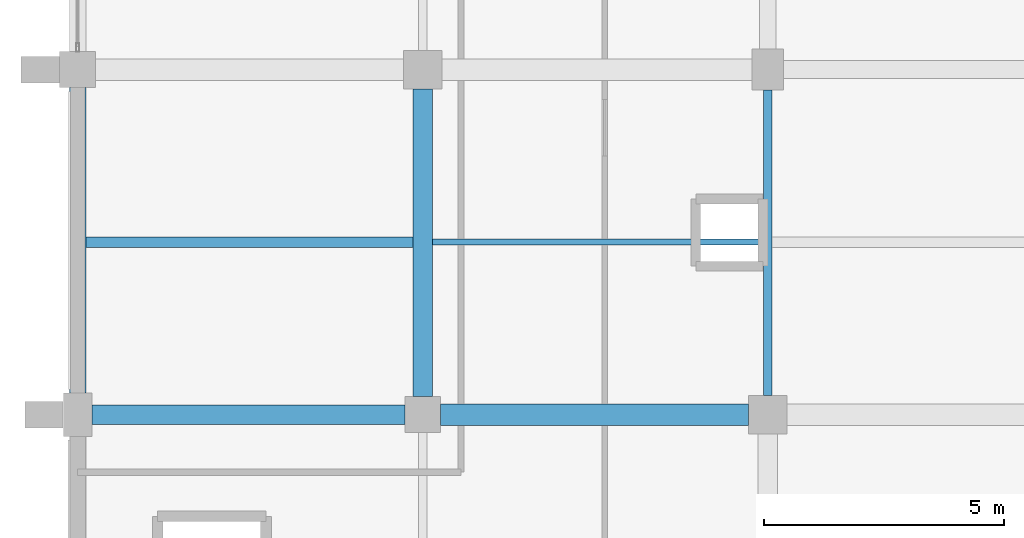
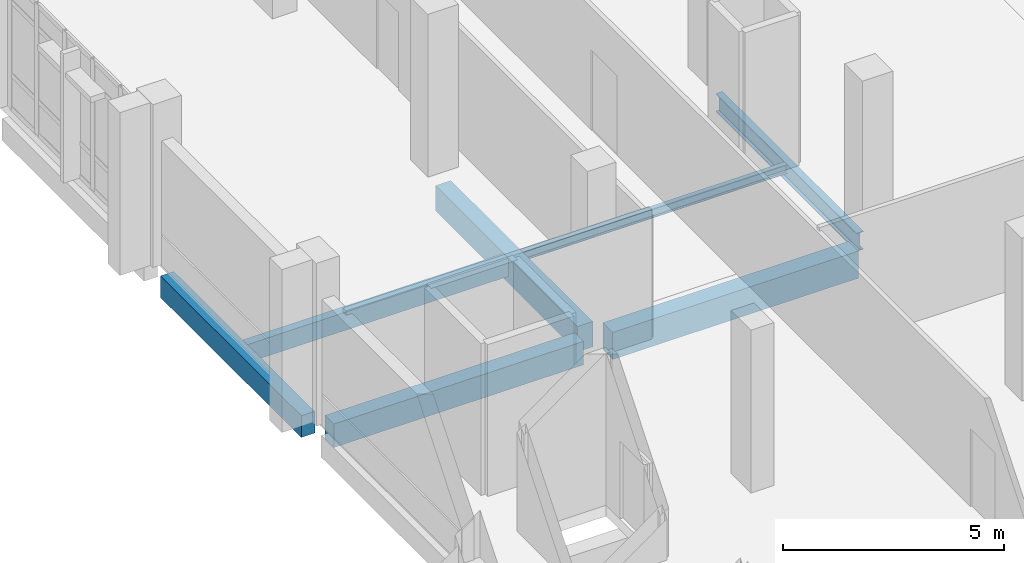
# One storey, part 25 of 134: 7 beams.
"""IFC4 building model written with IfcOpenShell, lengths in metres."""

from ifc_helpers import new_model, si_unit, direction, frame, origin, origin_2d, place, context, subcontext, project, spatial, rectangle, i_section, extrude, material, material_profile, profile_set, type_object, element, save


model = new_model("IFC4")

# Units and contexts
model_context = context("Model", 3, precision=1e-05, world=origin(), true_north=direction((0.0, 1.0)))
body_context = subcontext(model_context, "Body", "Model", "MODEL_VIEW")
ifc_project = project(units=[si_unit("LENGTHUNIT", "METRE"), si_unit("AREAUNIT", "SQUARE_METRE"), si_unit("VOLUMEUNIT", "CUBIC_METRE"), si_unit("PLANEANGLEUNIT", "RADIAN"), si_unit("MASSUNIT", "GRAM", prefix="KILO")], contexts=[model_context])

# Site, building, storey
site_placement = place(None, origin())
site = spatial("IfcSite", under=ifc_project, at=site_placement, CompositionType="ELEMENT")
building_placement = place(site_placement, origin())
building = spatial("IfcBuilding", under=site, at=building_placement, Name="Kalluvel Institute of Natural Sciences", CompositionType="ELEMENT")
storey_placement = place(building_placement, frame((0.0, 0.0, 5.39990234375)))
storey = spatial("IfcBuildingStorey", under=building, at=storey_placement, Name="L01", CompositionType="ELEMENT", Elevation=5.39990234375)

# Beams
ifc_material_1 = material(Name="Steel E350 Grade 350", Category="steel")
ifc_material_profile_1 = material_profile(ifc_material_1, i_section(OverallWidth=0.179931640625, OverallDepth=0.5, WebThickness=0.01025390625, FlangeThickness=0.01708984375, FilletRadius=0.01708984375, at=origin_2d()), Name="ISMB 500")
ifc_profile_set_1 = profile_set([ifc_material_profile_1], Name="Steel E350 Grade 350")
beam_type_1 = type_object("IfcBeamType", Name="BM-ISMB500", PredefinedType="BEAM", material=ifc_profile_set_1)
beam_1_placement = place(storey_placement, frame((28.39990234375, 64.800048828125, -0.5498046875), z_axis=(0.0, 1.0, 0.0), x_axis=(-1.0, 0.0, 0.0)))
element("IfcBeam", 1, at=beam_1_placement, inside=storey, type_object=beam_type_1, Name="L01 girder GIR-L01-NS-X284-Y644", PredefinedType="BEAM", context=body_context, shape_type="SweptSolid", body=[
    extrude(i_section(OverallWidth=0.179931640625, OverallDepth=0.5, WebThickness=0.01025390625, FlangeThickness=0.01708984375, FilletRadius=0.01708984375, at=origin_2d()), origin(), (0.0, 0.0, 1.0), 6.375),
])
ifc_material_2 = material(Name="Concrete M40", Category="concrete")
ifc_material_profile_2 = material_profile(ifc_material_2, rectangle(XDim=0.39990234375, YDim=0.64990234375, at=origin_2d()), Name="RCB 400x650")
ifc_profile_set_2 = profile_set([ifc_material_profile_2], Name="Concrete M40")
beam_type_2 = type_object("IfcBeamType", Name="BM-RC400x650", PredefinedType="BEAM", material=ifc_profile_set_2)
beam_2_placement = place(storey_placement, frame((14.300048828125, 64.39990234375, -0.625), z_axis=(1.0, 0.0, 0.0), x_axis=(0.0, 1.0, 0.0)))
element("IfcBeam", 2, at=beam_2_placement, inside=storey, type_object=beam_type_2, Name="L01 girder GIR-L01-EW-X140-Y644", PredefinedType="BEAM", context=body_context, shape_type="SweptSolid", body=[
    extrude(rectangle(XDim=0.39990234375, YDim=0.64990234375, at=origin_2d()), origin(), (0.0, 0.0, 1.0), 6.52490234375),
])
ifc_material_profile_3 = material_profile(ifc_material_2, rectangle(XDim=0.39990234375, YDim=0.699951171875, at=origin_2d()), Name="RCB 400x700")
ifc_profile_set_3 = profile_set([ifc_material_profile_3], Name="Concrete M40")
beam_type_3 = type_object("IfcBeamType", Name="BM-RC400x700", PredefinedType="BEAM", material=ifc_profile_set_3)
beam_3_placement = place(storey_placement, frame((21.199951171875, 64.77490234375, -0.64990234375), z_axis=(0.0, 1.0, 0.0), x_axis=(-1.0, 0.0, 0.0)))
element("IfcBeam", 3, at=beam_3_placement, inside=storey, type_object=beam_type_3, Name="L01 girder GIR-L01-NS-X212-Y644", PredefinedType="BEAM", context=body_context, shape_type="SweptSolid", body=[
    extrude(rectangle(XDim=0.39990234375, YDim=0.699951171875, at=origin_2d()), origin(), (0.0, 0.0, 1.0), 6.425048828125),
])
ifc_material_profile_4 = material_profile(ifc_material_2, rectangle(XDim=0.449951171875, YDim=0.75, at=origin_2d()), Name="RCB 450x750")
ifc_profile_set_4 = profile_set([ifc_material_profile_4], Name="Concrete M40")
beam_type_4 = type_object("IfcBeamType", Name="BM-RC450x750", PredefinedType="BEAM", material=ifc_profile_set_4)
beam_4_placement = place(storey_placement, frame((21.574951171875, 64.39990234375, -0.6748046875), z_axis=(1.0, 0.0, 0.0), x_axis=(0.0, 1.0, 0.0)))
element("IfcBeam", 4, at=beam_4_placement, inside=storey, type_object=beam_type_4, Name="L01 girder GIR-L01-EW-X212-Y644", PredefinedType="BEAM", context=body_context, shape_type="SweptSolid", body=[
    extrude(rectangle(XDim=0.449951171875, YDim=0.75, at=origin_2d()), origin(), (0.0, 0.0, 1.0), 6.425048828125),
])
ifc_material_profile_5 = material_profile(ifc_material_2, rectangle(XDim=0.35009765625, YDim=0.60009765625, at=origin_2d()), Name="RCB 350x600")
ifc_profile_set_5 = profile_set([ifc_material_profile_5], Name="Concrete M40")
beam_type_5 = type_object("IfcBeamType", Name="SP-RC350x600", PredefinedType="SPANDREL", material=ifc_profile_set_5)
beam_5_placement = place(storey_placement, frame((14.0, 64.85009765625, -0.599853515625), z_axis=(0.0, 1.0, 0.0), x_axis=(-1.0, 0.0, 0.0)))
element("IfcBeam", 5, at=beam_5_placement, inside=storey, type_object=beam_type_5, Name="L01 girder GIR-L01-NS-X140-Y644", PredefinedType="SPANDREL", context=body_context, shape_type="SweptSolid", body=[
    extrude(rectangle(XDim=0.35009765625, YDim=0.60009765625, at=origin_2d()), origin(), (0.0, 0.0, 1.0), 6.375),
])
ifc_material_profile_6 = material_profile(ifc_material_2, rectangle(XDim=0.219970703125, YDim=0.5, at=origin_2d()), Name="WAF 220x500")
ifc_profile_set_6 = profile_set([ifc_material_profile_6], Name="Concrete M40")
beam_type_6 = type_object("IfcBeamType", Name="WJ-220x500", PredefinedType="JOIST", material=ifc_profile_set_6)
beam_6_placement = place(storey_placement, frame((14.175048828125, 68.0, -0.5498046875), z_axis=(1.0, 0.0, 0.0), x_axis=(0.0, 1.0, 0.0)))
element("IfcBeam", 6, at=beam_6_placement, inside=storey, type_object=beam_type_6, Name="L01 floor rib RIB-L01-0644", PredefinedType="JOIST", context=body_context, shape_type="SweptSolid", body=[
    extrude(rectangle(XDim=0.219970703125, YDim=0.5, at=origin_2d()), origin(), (0.0, 0.0, 1.0), 6.824951171875),
])
ifc_material_profile_7 = material_profile(ifc_material_1, i_section(OverallWidth=0.125, OverallDepth=0.25, WebThickness=0.0068359375, FlangeThickness=0.012451171875, FilletRadius=0.012939453125, at=origin_2d()), Name="ISMB 250")
ifc_profile_set_7 = profile_set([ifc_material_profile_7], Name="Steel E350 Grade 350")
beam_type_7 = type_object("IfcBeamType", Name="WJ-ISMB250", PredefinedType="JOIST", material=ifc_profile_set_7)
beam_7_placement = place(storey_placement, frame((21.39990234375, 68.0, -0.4248046875), z_axis=(1.0, 0.0, 0.0), x_axis=(0.0, 1.0, 0.0)))
element("IfcBeam", 7, at=beam_7_placement, inside=storey, type_object=beam_type_7, Name="L01 floor rib RIB-L01-0645", PredefinedType="JOIST", context=body_context, shape_type="SweptSolid", body=[
    extrude(i_section(OverallWidth=0.125, OverallDepth=0.25, WebThickness=0.0068359375, FlangeThickness=0.012451171875, FilletRadius=0.012939453125, at=origin_2d()), origin(), (0.0, 0.0, 1.0), 6.91015625),
])

save(model, "model.ifc")
